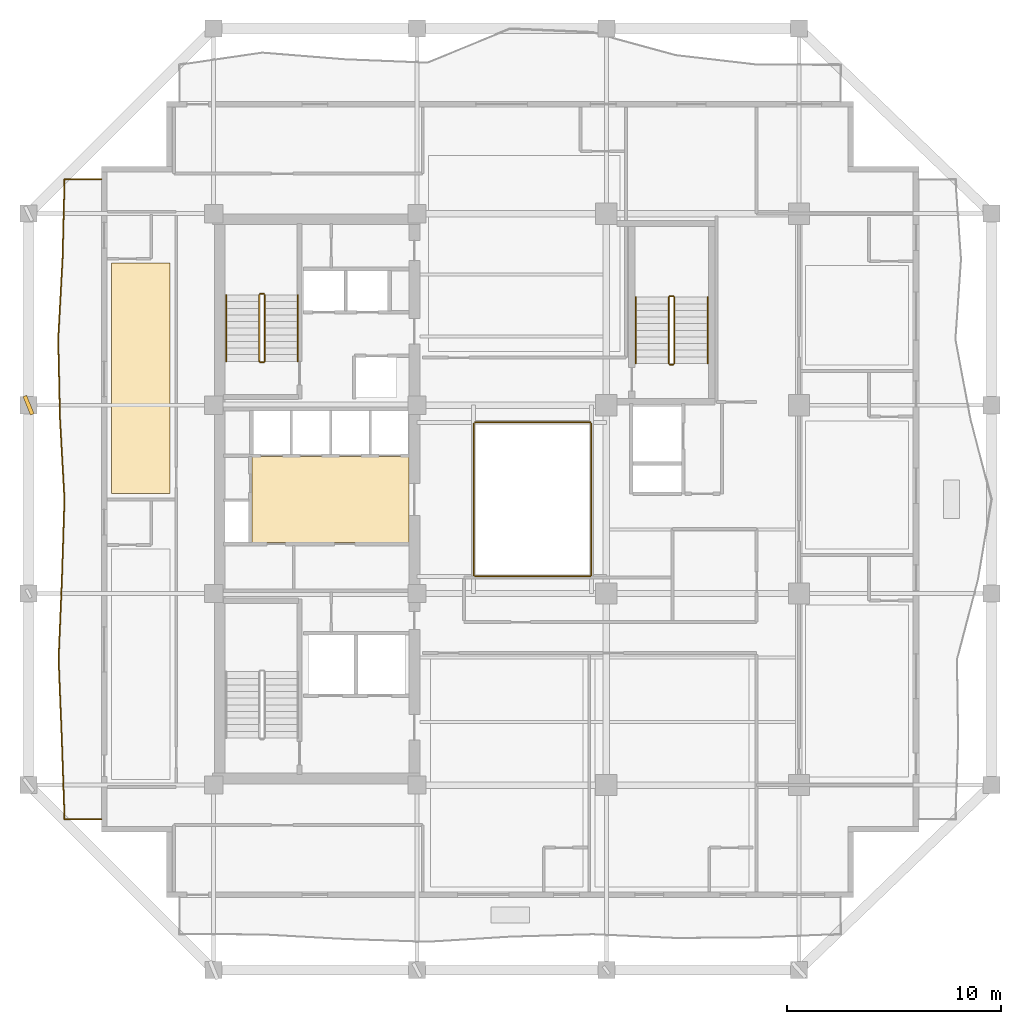
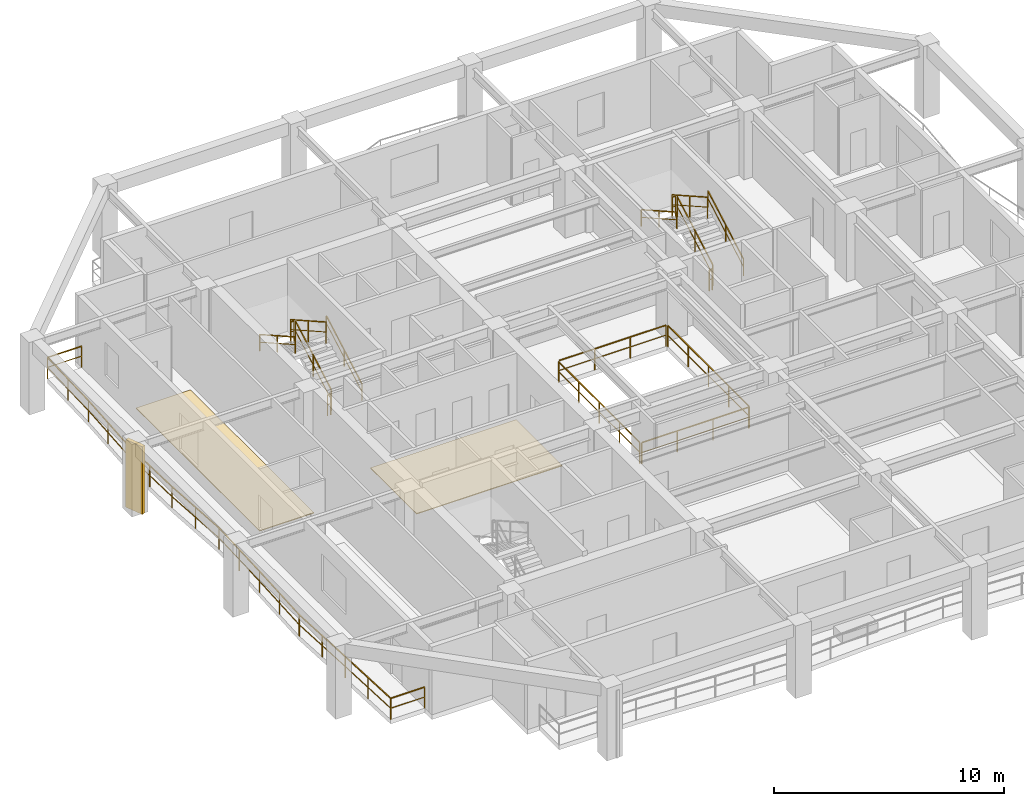
# One storey, part 9 of 11: 17 railings, 2 coverings, 1 shading device.
"""IFC4 building model written with IfcOpenShell, lengths in metres."""

from ifc_helpers import new_model, si_unit, direction, frame, origin, origin_2d, place, context, subcontext, project, spatial, polyline, rectangle, outline, extrude, material, layer, layer_set, type_object, element, save


model = new_model("IFC4")

# Units and contexts
model_context = context("Model", 3, precision=1e-05, world=origin(), true_north=direction((0.0, 1.0)))
body_context = subcontext(model_context, "Body", "Model", "MODEL_VIEW")
ifc_project = project(units=[si_unit("LENGTHUNIT", "METRE"), si_unit("AREAUNIT", "SQUARE_METRE"), si_unit("VOLUMEUNIT", "CUBIC_METRE"), si_unit("PLANEANGLEUNIT", "RADIAN"), si_unit("MASSUNIT", "GRAM", prefix="KILO")], contexts=[model_context])

# Site, building, storey
site_placement = place(None, origin())
site = spatial("IfcSite", under=ifc_project, at=site_placement, CompositionType="ELEMENT")
building_placement = place(site_placement, origin())
building = spatial("IfcBuilding", under=site, at=building_placement, Name="Kundavana Baori Tower", CompositionType="ELEMENT")
storey_placement = place(building_placement, frame((0.0, 0.0, 123.25)))
storey = spatial("IfcBuildingStorey", under=building, at=storey_placement, Name="L29", CompositionType="ELEMENT", Elevation=123.25)

# Coverings
ifc_material_1 = material(Name="Honed Kota Stone and Terrazzo Flooring", Category="masonry")
ifc_layer = layer(ifc_material_1, 0.0400390625, Name="COV-FLR-TERR-40")
ifc_layer_set = layer_set([ifc_layer], Name="Honed Kota Stone and Terrazzo Flooring")
covering_type = type_object("IfcCoveringType", Name="COV-FLR-TERR-40", PredefinedType="FLOORING", material=ifc_layer_set)
covering_1_placement = place(storey_placement, origin())
element("IfcCovering", 1, at=covering_1_placement, inside=storey, type_object=covering_type, Name="L29 Room Finished Stone Flooring 2", PredefinedType="FLOORING", context=body_context, shape_type="SweptSolid", body=[
    extrude(outline(polyline([(10.679931640625, 28.8798828125), (13.419921875, 28.8798828125), (13.419921875, 39.64990234375), (10.679931640625, 39.64990234375), (10.679931640625, 28.8798828125)])), origin(), (0.0, 0.0, 1.0), 0.0400390625),
])
covering_2_placement = place(storey_placement, origin())
element("IfcCovering", 2, at=covering_2_placement, inside=storey, type_object=covering_type, Name="L29 Core Lift Lobby Kota Stone Flooring", PredefinedType="FLOORING", context=body_context, shape_type="SweptSolid", body=[
    extrude(outline(polyline([(17.25, 26.580078125), (24.580078125, 26.580078125), (24.580078125, 30.60009765625), (17.25, 30.60009765625), (17.25, 26.580078125)])), origin(), (0.0, 0.0, 1.0), 0.0400390625),
])

# Railings
ifc_material_2 = material(Name="Architectural Patinated Bronze Metalwork")
railing_type_1 = type_object("IfcRailingType", Name="RL-BAL-1150", PredefinedType="BALUSTRADE", material=ifc_material_2)
railing_1_placement = place(storey_placement, frame((10.199951171875, 13.64990234375, 0.0)))
element("IfcRailing", 3, at=railing_1_placement, inside=storey, type_object=railing_type_1, Name="L29 Loggia Balcony Balustrade W", PredefinedType="BALUSTRADE", context=body_context, shape_type="SweptSolid", body=[
    extrude(rectangle(XDim=0.048095703125, YDim=0.048095703125, at=origin_2d()), frame((0.0, 0.0, 1.1259765625), z_axis=(-1.0, 0.0, 0.0), x_axis=(0.0, -1.0, 0.0)), (0.0, 0.0, 1.0), 1.719970703125),
    extrude(rectangle(XDim=0.03125, YDim=0.03125, at=origin_2d()), frame((0.0, 0.0, 0.597900390625), z_axis=(-1.0, 0.0, 0.0), x_axis=(0.0, -1.0, 0.0)), (0.0, 0.0, 1.0), 1.719970703125),
    extrude(rectangle(XDim=0.048095703125, YDim=0.048095703125, at=origin_2d()), frame((-1.719970703125, 0.0, 1.1259765625), z_axis=(-0.034473519495, 0.999405611578, 0.0), x_axis=(-0.999405611578, -0.034473519495, 0.0)), (0.0, 0.0, 1.0), 3.7392578125),
    extrude(rectangle(XDim=0.03125, YDim=0.03125, at=origin_2d()), frame((-1.719970703125, 0.0, 0.597900390625), z_axis=(-0.034473519495, 0.999405611578, 0.0), x_axis=(-0.999405611578, -0.034473519495, 0.0)), (0.0, 0.0, 1.0), 3.7392578125),
    extrude(rectangle(XDim=0.048095703125, YDim=0.048095703125, at=origin_2d()), frame((-1.848876953125, 3.737060546875, 1.1259765625), z_axis=(-0.039874213061, 0.999204707321, 0.0), x_axis=(-0.999204707321, -0.039874213061, 0.0)), (0.0, 0.0, 1.0), 3.740966796875),
    extrude(rectangle(XDim=0.03125, YDim=0.03125, at=origin_2d()), frame((-1.848876953125, 3.737060546875, 0.597900390625), z_axis=(-0.039874213061, 0.999204707321, 0.0), x_axis=(-0.999204707321, -0.039874213061, 0.0)), (0.0, 0.0, 1.0), 3.740966796875),
    extrude(rectangle(XDim=0.048095703125, YDim=0.048095703125, at=origin_2d()), frame((-1.998046875, 7.47509765625, 1.1259765625), z_axis=(0.041187988679, 0.999151414746, 0.0), x_axis=(-0.999151414746, 0.041187988679, 0.0)), (0.0, 0.0, 1.0), 3.740234375),
    extrude(rectangle(XDim=0.03125, YDim=0.03125, at=origin_2d()), frame((-1.998046875, 7.47509765625, 0.597900390625), z_axis=(0.041187988679, 0.999151414746, 0.0), x_axis=(-0.999151414746, 0.041187988679, 0.0)), (0.0, 0.0, 1.0), 3.740234375),
    extrude(rectangle(XDim=0.048095703125, YDim=0.048095703125, at=origin_2d()), frame((-1.843994140625, 11.212158203125, 1.1259765625), z_axis=(0.031595477586, 0.999500738267, 0.0), x_axis=(-0.999500738267, 0.031595477586, 0.0)), (0.0, 0.0, 1.0), 3.739990234375),
    extrude(rectangle(XDim=0.03125, YDim=0.03125, at=origin_2d()), frame((-1.843994140625, 11.212158203125, 0.597900390625), z_axis=(0.031595477586, 0.999500738267, 0.0), x_axis=(-0.999500738267, 0.031595477586, 0.0)), (0.0, 0.0, 1.0), 3.739990234375),
    extrude(rectangle(XDim=0.048095703125, YDim=0.048095703125, at=origin_2d()), frame((-1.725830078125, 14.9501953125, 1.1259765625), z_axis=(-0.0550581327, 0.998483150596, 0.0), x_axis=(-0.998483150596, -0.0550581327, 0.0)), (0.0, 0.0, 1.0), 3.742431640625),
    extrude(rectangle(XDim=0.03125, YDim=0.03125, at=origin_2d()), frame((-1.725830078125, 14.9501953125, 0.597900390625), z_axis=(-0.0550581327, 0.998483150596, 0.0), x_axis=(-0.998483150596, -0.0550581327, 0.0)), (0.0, 0.0, 1.0), 3.742431640625),
    extrude(rectangle(XDim=0.048095703125, YDim=0.048095703125, at=origin_2d()), frame((-1.931884765625, 18.68701171875, 1.1259765625), z_axis=(-0.022722888579, 0.999741801834, 0.0), x_axis=(-0.999741801834, -0.022722888579, 0.0)), (0.0, 0.0, 1.0), 3.739013671875),
    extrude(rectangle(XDim=0.03125, YDim=0.03125, at=origin_2d()), frame((-1.931884765625, 18.68701171875, 0.597900390625), z_axis=(-0.022722888579, 0.999741801834, 0.0), x_axis=(-0.999741801834, -0.022722888579, 0.0)), (0.0, 0.0, 1.0), 3.739013671875),
    extrude(rectangle(XDim=0.048095703125, YDim=0.048095703125, at=origin_2d()), frame((-2.016845703125, 22.425048828125, 1.1259765625), z_axis=(0.053948888645, 0.9985436983, 0.0), x_axis=(-0.9985436983, 0.053948888645, 0.0)), (0.0, 0.0, 1.0), 3.742431640625),
    extrude(rectangle(XDim=0.03125, YDim=0.03125, at=origin_2d()), frame((-2.016845703125, 22.425048828125, 0.597900390625), z_axis=(0.053948888645, 0.9985436983, 0.0), x_axis=(-0.9985436983, 0.053948888645, 0.0)), (0.0, 0.0, 1.0), 3.742431640625),
    extrude(rectangle(XDim=0.048095703125, YDim=0.048095703125, at=origin_2d()), frame((-1.81494140625, 26.162109375, 1.1259765625), z_axis=(0.025398374515, 0.999677409254, 0.0), x_axis=(-0.999677409254, 0.025398374515, 0.0)), (0.0, 0.0, 1.0), 3.7392578125),
    extrude(rectangle(XDim=0.03125, YDim=0.03125, at=origin_2d()), frame((-1.81494140625, 26.162109375, 0.597900390625), z_axis=(0.025398374515, 0.999677409254, 0.0), x_axis=(-0.999677409254, 0.025398374515, 0.0)), (0.0, 0.0, 1.0), 3.7392578125),
    extrude(rectangle(XDim=0.048095703125, YDim=0.048095703125, at=origin_2d()), frame((-1.719970703125, 29.900146484375, 1.1259765625), z_axis=(1.0, 0.0, 0.0), x_axis=(0.0, 1.0, 0.0)), (0.0, 0.0, 1.0), 1.719970703125),
    extrude(rectangle(XDim=0.03125, YDim=0.03125, at=origin_2d()), frame((-1.719970703125, 29.900146484375, 0.597900390625), z_axis=(1.0, 0.0, 0.0), x_axis=(0.0, 1.0, 0.0)), (0.0, 0.0, 1.0), 1.719970703125),
    extrude(rectangle(XDim=0.0419921875, YDim=0.0419921875, at=origin_2d()), origin(), (0.0, 0.0, 1.0), 1.101806640625),
    extrude(rectangle(XDim=0.0419921875, YDim=0.0419921875, at=origin_2d()), frame((-1.719970703125, 0.0, 0.0)), (0.0, 0.0, 1.0), 1.101806640625),
    extrude(rectangle(XDim=0.0419921875, YDim=0.0419921875, at=origin_2d()), frame((-1.784423828125, 1.86865234375, 0.0)), (0.0, 0.0, 1.0), 1.101806640625),
    extrude(rectangle(XDim=0.0419921875, YDim=0.0419921875, at=origin_2d()), frame((-1.848876953125, 3.737060546875, 0.0)), (0.0, 0.0, 1.0), 1.101806640625),
    extrude(rectangle(XDim=0.0419921875, YDim=0.0419921875, at=origin_2d()), frame((-1.92333984375, 5.60595703125, 0.0)), (0.0, 0.0, 1.0), 1.101806640625),
    extrude(rectangle(XDim=0.0419921875, YDim=0.0419921875, at=origin_2d()), frame((-1.998046875, 7.47509765625, 0.0)), (0.0, 0.0, 1.0), 1.101806640625),
    extrude(rectangle(XDim=0.0419921875, YDim=0.0419921875, at=origin_2d()), frame((-1.9208984375, 9.34375, 0.0)), (0.0, 0.0, 1.0), 1.101806640625),
    extrude(rectangle(XDim=0.0419921875, YDim=0.0419921875, at=origin_2d()), frame((-1.843994140625, 11.212158203125, 0.0)), (0.0, 0.0, 1.0), 1.101806640625),
    extrude(rectangle(XDim=0.0419921875, YDim=0.0419921875, at=origin_2d()), frame((-1.784912109375, 13.0810546875, 0.0)), (0.0, 0.0, 1.0), 1.101806640625),
    extrude(rectangle(XDim=0.0419921875, YDim=0.0419921875, at=origin_2d()), frame((-1.725830078125, 14.9501953125, 0.0)), (0.0, 0.0, 1.0), 1.101806640625),
    extrude(rectangle(XDim=0.0419921875, YDim=0.0419921875, at=origin_2d()), frame((-1.828857421875, 16.818603515625, 0.0)), (0.0, 0.0, 1.0), 1.101806640625),
    extrude(rectangle(XDim=0.0419921875, YDim=0.0419921875, at=origin_2d()), frame((-1.931884765625, 18.68701171875, 0.0)), (0.0, 0.0, 1.0), 1.101806640625),
    extrude(rectangle(XDim=0.0419921875, YDim=0.0419921875, at=origin_2d()), frame((-1.974365234375, 20.55615234375, 0.0)), (0.0, 0.0, 1.0), 1.101806640625),
    extrude(rectangle(XDim=0.0419921875, YDim=0.0419921875, at=origin_2d()), frame((-2.016845703125, 22.425048828125, 0.0)), (0.0, 0.0, 1.0), 1.101806640625),
    extrude(rectangle(XDim=0.0419921875, YDim=0.0419921875, at=origin_2d()), frame((-1.916015625, 24.29345703125, 0.0)), (0.0, 0.0, 1.0), 1.101806640625),
    extrude(rectangle(XDim=0.0419921875, YDim=0.0419921875, at=origin_2d()), frame((-1.81494140625, 26.162109375, 0.0)), (0.0, 0.0, 1.0), 1.101806640625),
    extrude(rectangle(XDim=0.0419921875, YDim=0.0419921875, at=origin_2d()), frame((-1.767578125, 28.03125, 0.0)), (0.0, 0.0, 1.0), 1.101806640625),
    extrude(rectangle(XDim=0.0419921875, YDim=0.0419921875, at=origin_2d()), frame((-1.719970703125, 29.900146484375, 0.0)), (0.0, 0.0, 1.0), 1.101806640625),
    extrude(rectangle(XDim=0.0419921875, YDim=0.0419921875, at=origin_2d()), frame((0.0, 29.900146484375, 0.0)), (0.0, 0.0, 1.0), 1.101806640625),
])
ifc_material_3 = material(Name="Architectural Patinated Bronze Metalwork")
railing_type_2 = type_object("IfcRailingType", Name="RL-GRD-1150", PredefinedType="GUARDRAIL", material=ifc_material_3)
railing_2_placement = place(storey_placement, frame((17.840087890625, 35.050048828125, 0.175048828125)))
element("IfcRailing", 4, at=railing_2_placement, inside=storey, type_object=railing_type_2, Name="L29 ST2 stair guard 1", PredefinedType="GUARDRAIL", context=body_context, shape_type="SweptSolid", body=[
    extrude(rectangle(XDim=0.048095703125, YDim=0.048095703125, at=origin_2d()), frame((0.0, 0.0, 1.1259765625), z_axis=(0.0, 0.870814364268, 0.491611984175), x_axis=(-1.0, 0.0, 0.0)), (0.0, 0.0, 1.0), 3.559814453125),
    extrude(rectangle(XDim=0.03125, YDim=0.03125, at=origin_2d()), frame((0.0, 0.0, 0.597900390625), z_axis=(0.0, 0.870814364268, 0.491611984175), x_axis=(-1.0, 0.0, 0.0)), (0.0, 0.0, 1.0), 3.559814453125),
    extrude(rectangle(XDim=0.0419921875, YDim=0.0419921875, at=origin_2d()), origin(), (0.0, 0.0, 1.0), 1.101806640625),
    extrude(rectangle(XDim=0.0419921875, YDim=0.0419921875, at=origin_2d()), frame((0.0, 1.5498046875, 0.875)), (0.0, 0.0, 1.0), 1.101806640625),
    extrude(rectangle(XDim=0.0419921875, YDim=0.0419921875, at=origin_2d()), frame((0.0, 3.099853515625, 1.75)), (0.0, 0.0, 1.0), 1.101806640625),
])
railing_3_placement = place(storey_placement, frame((17.7900390625, 38.199951171875, 1.925048828125)))
element("IfcRailing", 5, at=railing_3_placement, inside=storey, type_object=railing_type_2, Name="L29 ST2 stair guard 2", PredefinedType="GUARDRAIL", context=body_context, shape_type="SweptSolid", body=[
    extrude(rectangle(XDim=0.048095703125, YDim=0.048095703125, at=origin_2d()), frame((0.0, 0.0, 1.1259765625), z_axis=(-1.0, 0.0, 0.0), x_axis=(0.0, -1.0, 0.0)), (0.0, 0.0, 1.0), 0.16015625),
    extrude(rectangle(XDim=0.03125, YDim=0.03125, at=origin_2d()), frame((0.0, 0.0, 0.597900390625), z_axis=(-1.0, 0.0, 0.0), x_axis=(0.0, -1.0, 0.0)), (0.0, 0.0, 1.0), 0.16015625),
    extrude(rectangle(XDim=0.0419921875, YDim=0.0419921875, at=origin_2d()), origin(), (0.0, 0.0, 1.0), 1.101806640625),
    extrude(rectangle(XDim=0.0419921875, YDim=0.0419921875, at=origin_2d()), frame((-0.16015625, 0.0, 0.0)), (0.0, 0.0, 1.0), 1.101806640625),
])
railing_4_placement = place(storey_placement, frame((17.580078125, 38.14990234375, 2.10009765625)))
element("IfcRailing", 6, at=railing_4_placement, inside=storey, type_object=railing_type_2, Name="L29 ST2 stair guard 3", PredefinedType="GUARDRAIL", context=body_context, shape_type="SweptSolid", body=[
    extrude(rectangle(XDim=0.048095703125, YDim=0.048095703125, at=origin_2d()), frame((0.0, 0.0, 1.1259765625), z_axis=(0.0, -0.870814364268, 0.491611984175), x_axis=(1.0, 0.0, 0.0)), (0.0, 0.0, 1.0), 3.559814453125),
    extrude(rectangle(XDim=0.03125, YDim=0.03125, at=origin_2d()), frame((0.0, 0.0, 0.597900390625), z_axis=(0.0, -0.870814364268, 0.491611984175), x_axis=(1.0, 0.0, 0.0)), (0.0, 0.0, 1.0), 3.559814453125),
    extrude(rectangle(XDim=0.0419921875, YDim=0.0419921875, at=origin_2d()), origin(), (0.0, 0.0, 1.0), 1.101806640625),
    extrude(rectangle(XDim=0.0419921875, YDim=0.0419921875, at=origin_2d()), frame((0.0, -1.5498046875, 0.875)), (0.0, 0.0, 1.0), 1.101806640625),
    extrude(rectangle(XDim=0.0419921875, YDim=0.0419921875, at=origin_2d()), frame((0.0, -3.099853515625, 1.75)), (0.0, 0.0, 1.0), 1.101806640625),
])
railing_5_placement = place(storey_placement, frame((17.7900390625, 35.0, 0.0)))
element("IfcRailing", 7, at=railing_5_placement, inside=storey, type_object=railing_type_2, Name="L29 ST2 stair guard 4", PredefinedType="GUARDRAIL", context=body_context, shape_type="SweptSolid", body=[
    extrude(rectangle(XDim=0.048095703125, YDim=0.048095703125, at=origin_2d()), frame((0.0, 0.0, 1.1259765625), z_axis=(-1.0, 0.0, 0.0), x_axis=(0.0, -1.0, 0.0)), (0.0, 0.0, 1.0), 0.16015625),
    extrude(rectangle(XDim=0.03125, YDim=0.03125, at=origin_2d()), frame((0.0, 0.0, 0.597900390625), z_axis=(-1.0, 0.0, 0.0), x_axis=(0.0, -1.0, 0.0)), (0.0, 0.0, 1.0), 0.16015625),
    extrude(rectangle(XDim=0.0419921875, YDim=0.0419921875, at=origin_2d()), origin(), (0.0, 0.0, 1.0), 1.101806640625),
    extrude(rectangle(XDim=0.0419921875, YDim=0.0419921875, at=origin_2d()), frame((-0.16015625, 0.0, 0.0)), (0.0, 0.0, 1.0), 1.101806640625),
])
railing_6_placement = place(storey_placement, frame((36.97998046875, 34.949951171875, 0.175048828125)))
element("IfcRailing", 8, at=railing_6_placement, inside=storey, type_object=railing_type_2, Name="L29 ST3 stair guard 1", PredefinedType="GUARDRAIL", context=body_context, shape_type="SweptSolid", body=[
    extrude(rectangle(XDim=0.048095703125, YDim=0.048095703125, at=origin_2d()), frame((0.0, 0.0, 1.1259765625), z_axis=(0.0, 0.870830938388, 0.491582624537), x_axis=(-1.0, 0.0, 0.0)), (0.0, 0.0, 1.0), 3.559814453125),
    extrude(rectangle(XDim=0.03125, YDim=0.03125, at=origin_2d()), frame((0.0, 0.0, 0.597900390625), z_axis=(0.0, 0.870830938388, 0.491582624537), x_axis=(-1.0, 0.0, 0.0)), (0.0, 0.0, 1.0), 3.559814453125),
    extrude(rectangle(XDim=0.0419921875, YDim=0.0419921875, at=origin_2d()), origin(), (0.0, 0.0, 1.0), 1.101806640625),
    extrude(rectangle(XDim=0.0419921875, YDim=0.0419921875, at=origin_2d()), frame((0.0, 1.550048828125, 0.875)), (0.0, 0.0, 1.0), 1.101806640625),
    extrude(rectangle(XDim=0.0419921875, YDim=0.0419921875, at=origin_2d()), frame((0.0, 3.10009765625, 1.75)), (0.0, 0.0, 1.0), 1.101806640625),
])
railing_7_placement = place(storey_placement, frame((36.929931640625, 38.10009765625, 1.925048828125)))
element("IfcRailing", 9, at=railing_7_placement, inside=storey, type_object=railing_type_2, Name="L29 ST3 stair guard 2", PredefinedType="GUARDRAIL", context=body_context, shape_type="SweptSolid", body=[
    extrude(rectangle(XDim=0.048095703125, YDim=0.048095703125, at=origin_2d()), frame((0.0, 0.0, 1.1259765625), z_axis=(-1.0, 0.0, 0.0), x_axis=(0.0, -1.0, 0.0)), (0.0, 0.0, 1.0), 0.159912109375),
    extrude(rectangle(XDim=0.03125, YDim=0.03125, at=origin_2d()), frame((0.0, 0.0, 0.597900390625), z_axis=(-1.0, 0.0, 0.0), x_axis=(0.0, -1.0, 0.0)), (0.0, 0.0, 1.0), 0.159912109375),
    extrude(rectangle(XDim=0.0419921875, YDim=0.0419921875, at=origin_2d()), origin(), (0.0, 0.0, 1.0), 1.101806640625),
    extrude(rectangle(XDim=0.0419921875, YDim=0.0419921875, at=origin_2d()), frame((-0.159912109375, 0.0, 0.0)), (0.0, 0.0, 1.0), 1.101806640625),
])
railing_8_placement = place(storey_placement, frame((36.719970703125, 38.050048828125, 2.10009765625)))
element("IfcRailing", 10, at=railing_8_placement, inside=storey, type_object=railing_type_2, Name="L29 ST3 stair guard 3", PredefinedType="GUARDRAIL", context=body_context, shape_type="SweptSolid", body=[
    extrude(rectangle(XDim=0.048095703125, YDim=0.048095703125, at=origin_2d()), frame((0.0, 0.0, 1.1259765625), z_axis=(0.0, -0.870830938388, 0.491582624537), x_axis=(1.0, 0.0, 0.0)), (0.0, 0.0, 1.0), 3.559814453125),
    extrude(rectangle(XDim=0.03125, YDim=0.03125, at=origin_2d()), frame((0.0, 0.0, 0.597900390625), z_axis=(0.0, -0.870830938388, 0.491582624537), x_axis=(1.0, 0.0, 0.0)), (0.0, 0.0, 1.0), 3.559814453125),
    extrude(rectangle(XDim=0.0419921875, YDim=0.0419921875, at=origin_2d()), origin(), (0.0, 0.0, 1.0), 1.101806640625),
    extrude(rectangle(XDim=0.0419921875, YDim=0.0419921875, at=origin_2d()), frame((0.0, -1.550048828125, 0.875)), (0.0, 0.0, 1.0), 1.101806640625),
    extrude(rectangle(XDim=0.0419921875, YDim=0.0419921875, at=origin_2d()), frame((0.0, -3.10009765625, 1.75)), (0.0, 0.0, 1.0), 1.101806640625),
])
railing_9_placement = place(storey_placement, frame((36.929931640625, 34.89990234375, 0.0)))
element("IfcRailing", 11, at=railing_9_placement, inside=storey, type_object=railing_type_2, Name="L29 ST3 stair guard 4", PredefinedType="GUARDRAIL", context=body_context, shape_type="SweptSolid", body=[
    extrude(rectangle(XDim=0.048095703125, YDim=0.048095703125, at=origin_2d()), frame((0.0, 0.0, 1.1259765625), z_axis=(-1.0, 0.0, 0.0), x_axis=(0.0, -1.0, 0.0)), (0.0, 0.0, 1.0), 0.159912109375),
    extrude(rectangle(XDim=0.03125, YDim=0.03125, at=origin_2d()), frame((0.0, 0.0, 0.597900390625), z_axis=(-1.0, 0.0, 0.0), x_axis=(0.0, -1.0, 0.0)), (0.0, 0.0, 1.0), 0.159912109375),
    extrude(rectangle(XDim=0.0419921875, YDim=0.0419921875, at=origin_2d()), origin(), (0.0, 0.0, 1.0), 1.101806640625),
    extrude(rectangle(XDim=0.0419921875, YDim=0.0419921875, at=origin_2d()), frame((-0.159912109375, 0.0, 0.0)), (0.0, 0.0, 1.0), 1.101806640625),
])
railing_10_placement = place(storey_placement, frame((27.659912109375, 25.0, 0.0)))
element("IfcRailing", 12, at=railing_10_placement, inside=storey, type_object=railing_type_2, Name="L29 Atrium Void Perimeter Guardrail S", PredefinedType="GUARDRAIL", context=body_context, shape_type="SweptSolid", body=[
    extrude(rectangle(XDim=0.048095703125, YDim=0.048095703125, at=origin_2d()), frame((0.0, 0.0, 1.1259765625), z_axis=(1.0, 0.0, 0.0), x_axis=(0.0, 1.0, 0.0)), (0.0, 0.0, 1.0), 5.380126953125),
    extrude(rectangle(XDim=0.03125, YDim=0.03125, at=origin_2d()), frame((0.0, 0.0, 0.597900390625), z_axis=(1.0, 0.0, 0.0), x_axis=(0.0, 1.0, 0.0)), (0.0, 0.0, 1.0), 5.380126953125),
    extrude(rectangle(XDim=0.0419921875, YDim=0.0419921875, at=origin_2d()), origin(), (0.0, 0.0, 1.0), 1.101806640625),
    extrude(rectangle(XDim=0.0419921875, YDim=0.0419921875, at=origin_2d()), frame((1.79345703125, 0.0, 0.0)), (0.0, 0.0, 1.0), 1.101806640625),
    extrude(rectangle(XDim=0.0419921875, YDim=0.0419921875, at=origin_2d()), frame((3.586669921875, 0.0, 0.0)), (0.0, 0.0, 1.0), 1.101806640625),
    extrude(rectangle(XDim=0.0419921875, YDim=0.0419921875, at=origin_2d()), frame((5.380126953125, 0.0, 0.0)), (0.0, 0.0, 1.0), 1.101806640625),
])
railing_11_placement = place(storey_placement, frame((33.10009765625, 25.06005859375, 0.0)))
element("IfcRailing", 13, at=railing_11_placement, inside=storey, type_object=railing_type_2, Name="L29 Atrium Void Perimeter Guardrail E", PredefinedType="GUARDRAIL", context=body_context, shape_type="SweptSolid", body=[
    extrude(rectangle(XDim=0.048095703125, YDim=0.048095703125, at=origin_2d()), frame((0.0, 0.0, 1.1259765625), z_axis=(0.0, 1.0, 0.0), x_axis=(-1.0, 0.0, 0.0)), (0.0, 0.0, 1.0), 7.079833984375),
    extrude(rectangle(XDim=0.03125, YDim=0.03125, at=origin_2d()), frame((0.0, 0.0, 0.597900390625), z_axis=(0.0, 1.0, 0.0), x_axis=(-1.0, 0.0, 0.0)), (0.0, 0.0, 1.0), 7.079833984375),
    extrude(rectangle(XDim=0.0419921875, YDim=0.0419921875, at=origin_2d()), origin(), (0.0, 0.0, 1.0), 1.101806640625),
    extrude(rectangle(XDim=0.0419921875, YDim=0.0419921875, at=origin_2d()), frame((0.0, 1.77001953125, 0.0)), (0.0, 0.0, 1.0), 1.101806640625),
    extrude(rectangle(XDim=0.0419921875, YDim=0.0419921875, at=origin_2d()), frame((0.0, 3.5400390625, 0.0)), (0.0, 0.0, 1.0), 1.101806640625),
    extrude(rectangle(XDim=0.0419921875, YDim=0.0419921875, at=origin_2d()), frame((0.0, 5.309814453125, 0.0)), (0.0, 0.0, 1.0), 1.101806640625),
    extrude(rectangle(XDim=0.0419921875, YDim=0.0419921875, at=origin_2d()), frame((0.0, 7.079833984375, 0.0)), (0.0, 0.0, 1.0), 1.101806640625),
])
railing_12_placement = place(storey_placement, frame((33.0400390625, 32.199951171875, 0.0)))
element("IfcRailing", 14, at=railing_12_placement, inside=storey, type_object=railing_type_2, Name="L29 Atrium Void Perimeter Guardrail N", PredefinedType="GUARDRAIL", context=body_context, shape_type="SweptSolid", body=[
    extrude(rectangle(XDim=0.048095703125, YDim=0.048095703125, at=origin_2d()), frame((0.0, 0.0, 1.1259765625), z_axis=(-1.0, 0.0, 0.0), x_axis=(0.0, -1.0, 0.0)), (0.0, 0.0, 1.0), 5.380126953125),
    extrude(rectangle(XDim=0.03125, YDim=0.03125, at=origin_2d()), frame((0.0, 0.0, 0.597900390625), z_axis=(-1.0, 0.0, 0.0), x_axis=(0.0, -1.0, 0.0)), (0.0, 0.0, 1.0), 5.380126953125),
    extrude(rectangle(XDim=0.0419921875, YDim=0.0419921875, at=origin_2d()), origin(), (0.0, 0.0, 1.0), 1.101806640625),
    extrude(rectangle(XDim=0.0419921875, YDim=0.0419921875, at=origin_2d()), frame((-1.79345703125, 0.0, 0.0)), (0.0, 0.0, 1.0), 1.101806640625),
    extrude(rectangle(XDim=0.0419921875, YDim=0.0419921875, at=origin_2d()), frame((-3.586669921875, 0.0, 0.0)), (0.0, 0.0, 1.0), 1.101806640625),
    extrude(rectangle(XDim=0.0419921875, YDim=0.0419921875, at=origin_2d()), frame((-5.380126953125, 0.0, 0.0)), (0.0, 0.0, 1.0), 1.101806640625),
])
railing_13_placement = place(storey_placement, frame((27.60009765625, 32.139892578125, 0.0)))
element("IfcRailing", 15, at=railing_13_placement, inside=storey, type_object=railing_type_2, Name="L29 Atrium Void Perimeter Guardrail W", PredefinedType="GUARDRAIL", context=body_context, shape_type="SweptSolid", body=[
    extrude(rectangle(XDim=0.048095703125, YDim=0.048095703125, at=origin_2d()), frame((0.0, 0.0, 1.1259765625), z_axis=(0.0, -1.0, 0.0), x_axis=(1.0, 0.0, 0.0)), (0.0, 0.0, 1.0), 7.079833984375),
    extrude(rectangle(XDim=0.03125, YDim=0.03125, at=origin_2d()), frame((0.0, 0.0, 0.597900390625), z_axis=(0.0, -1.0, 0.0), x_axis=(1.0, 0.0, 0.0)), (0.0, 0.0, 1.0), 7.079833984375),
    extrude(rectangle(XDim=0.0419921875, YDim=0.0419921875, at=origin_2d()), origin(), (0.0, 0.0, 1.0), 1.101806640625),
    extrude(rectangle(XDim=0.0419921875, YDim=0.0419921875, at=origin_2d()), frame((0.0, -1.77001953125, 0.0)), (0.0, 0.0, 1.0), 1.101806640625),
    extrude(rectangle(XDim=0.0419921875, YDim=0.0419921875, at=origin_2d()), frame((0.0, -3.5400390625, 0.0)), (0.0, 0.0, 1.0), 1.101806640625),
    extrude(rectangle(XDim=0.0419921875, YDim=0.0419921875, at=origin_2d()), frame((0.0, -5.309814453125, 0.0)), (0.0, 0.0, 1.0), 1.101806640625),
    extrude(rectangle(XDim=0.0419921875, YDim=0.0419921875, at=origin_2d()), frame((0.0, -7.079833984375, 0.0)), (0.0, 0.0, 1.0), 1.101806640625),
])
ifc_material_4 = material(Name="Architectural Patinated Bronze Metalwork")
railing_type_3 = type_object("IfcRailingType", Name="RL-HND-920", PredefinedType="HANDRAIL", material=ifc_material_4)
railing_14_placement = place(storey_placement, frame((19.389892578125, 35.050048828125, 0.175048828125)))
element("IfcRailing", 16, at=railing_14_placement, inside=storey, type_object=railing_type_3, Name="L29 ST2 stair handrail 1", PredefinedType="HANDRAIL", context=body_context, shape_type="SweptSolid", body=[
    extrude(rectangle(XDim=0.048095703125, YDim=0.048095703125, at=origin_2d()), frame((0.0, 0.0, 0.8759765625), z_axis=(0.0, 0.870814364268, 0.491611984175), x_axis=(-1.0, 0.0, 0.0)), (0.0, 0.0, 1.0), 3.559814453125),
    extrude(rectangle(XDim=0.03125, YDim=0.03125, at=origin_2d()), frame((0.0, 0.0, 0.468017578125), z_axis=(0.0, 0.870814364268, 0.491611984175), x_axis=(-1.0, 0.0, 0.0)), (0.0, 0.0, 1.0), 3.559814453125),
    extrude(rectangle(XDim=0.0419921875, YDim=0.0419921875, at=origin_2d()), origin(), (0.0, 0.0, 1.0), 0.851806640625),
    extrude(rectangle(XDim=0.0419921875, YDim=0.0419921875, at=origin_2d()), frame((0.0, 1.5498046875, 0.875)), (0.0, 0.0, 1.0), 0.851806640625),
    extrude(rectangle(XDim=0.0419921875, YDim=0.0419921875, at=origin_2d()), frame((0.0, 3.099853515625, 1.75)), (0.0, 0.0, 1.0), 0.851806640625),
])
railing_15_placement = place(storey_placement, frame((16.030029296875, 38.14990234375, 2.10009765625)))
element("IfcRailing", 17, at=railing_15_placement, inside=storey, type_object=railing_type_3, Name="L29 ST2 stair handrail 2", PredefinedType="HANDRAIL", context=body_context, shape_type="SweptSolid", body=[
    extrude(rectangle(XDim=0.048095703125, YDim=0.048095703125, at=origin_2d()), frame((0.0, 0.0, 0.8759765625), z_axis=(0.0, -0.870814364268, 0.491611984175), x_axis=(1.0, 0.0, 0.0)), (0.0, 0.0, 1.0), 3.559814453125),
    extrude(rectangle(XDim=0.03125, YDim=0.03125, at=origin_2d()), frame((0.0, 0.0, 0.468017578125), z_axis=(0.0, -0.870814364268, 0.491611984175), x_axis=(1.0, 0.0, 0.0)), (0.0, 0.0, 1.0), 3.559814453125),
    extrude(rectangle(XDim=0.0419921875, YDim=0.0419921875, at=origin_2d()), origin(), (0.0, 0.0, 1.0), 0.851806640625),
    extrude(rectangle(XDim=0.0419921875, YDim=0.0419921875, at=origin_2d()), frame((0.0, -1.5498046875, 0.875)), (0.0, 0.0, 1.0), 0.851806640625),
    extrude(rectangle(XDim=0.0419921875, YDim=0.0419921875, at=origin_2d()), frame((0.0, -3.099853515625, 1.75)), (0.0, 0.0, 1.0), 0.851806640625),
])
railing_16_placement = place(storey_placement, frame((38.530029296875, 34.949951171875, 0.175048828125)))
element("IfcRailing", 18, at=railing_16_placement, inside=storey, type_object=railing_type_3, Name="L29 ST3 stair handrail 1", PredefinedType="HANDRAIL", context=body_context, shape_type="SweptSolid", body=[
    extrude(rectangle(XDim=0.048095703125, YDim=0.048095703125, at=origin_2d()), frame((0.0, 0.0, 0.8759765625), z_axis=(0.0, 0.870830938388, 0.491582624537), x_axis=(-1.0, 0.0, 0.0)), (0.0, 0.0, 1.0), 3.559814453125),
    extrude(rectangle(XDim=0.03125, YDim=0.03125, at=origin_2d()), frame((0.0, 0.0, 0.468017578125), z_axis=(0.0, 0.870830938388, 0.491582624537), x_axis=(-1.0, 0.0, 0.0)), (0.0, 0.0, 1.0), 3.559814453125),
    extrude(rectangle(XDim=0.0419921875, YDim=0.0419921875, at=origin_2d()), origin(), (0.0, 0.0, 1.0), 0.851806640625),
    extrude(rectangle(XDim=0.0419921875, YDim=0.0419921875, at=origin_2d()), frame((0.0, 1.550048828125, 0.875)), (0.0, 0.0, 1.0), 0.851806640625),
    extrude(rectangle(XDim=0.0419921875, YDim=0.0419921875, at=origin_2d()), frame((0.0, 3.10009765625, 1.75)), (0.0, 0.0, 1.0), 0.851806640625),
])
railing_17_placement = place(storey_placement, frame((35.169921875, 38.050048828125, 2.10009765625)))
element("IfcRailing", 19, at=railing_17_placement, inside=storey, type_object=railing_type_3, Name="L29 ST3 stair handrail 2", PredefinedType="HANDRAIL", context=body_context, shape_type="SweptSolid", body=[
    extrude(rectangle(XDim=0.048095703125, YDim=0.048095703125, at=origin_2d()), frame((0.0, 0.0, 0.8759765625), z_axis=(0.0, -0.870830938388, 0.491582624537), x_axis=(1.0, 0.0, 0.0)), (0.0, 0.0, 1.0), 3.559814453125),
    extrude(rectangle(XDim=0.03125, YDim=0.03125, at=origin_2d()), frame((0.0, 0.0, 0.468017578125), z_axis=(0.0, -0.870830938388, 0.491582624537), x_axis=(1.0, 0.0, 0.0)), (0.0, 0.0, 1.0), 3.559814453125),
    extrude(rectangle(XDim=0.0419921875, YDim=0.0419921875, at=origin_2d()), origin(), (0.0, 0.0, 1.0), 0.851806640625),
    extrude(rectangle(XDim=0.0419921875, YDim=0.0419921875, at=origin_2d()), frame((0.0, -1.550048828125, 0.875)), (0.0, 0.0, 1.0), 0.851806640625),
    extrude(rectangle(XDim=0.0419921875, YDim=0.0419921875, at=origin_2d()), frame((0.0, -3.10009765625, 1.75)), (0.0, 0.0, 1.0), 0.851806640625),
])

# Shading device
ifc_material_5 = material(Name="Red-Buff Dholpur Sandstone Cladding on Concrete C40/50", Category="masonry")
shading_device_type = type_object("IfcShadingDeviceType", Name="SHD-FIN-920", PredefinedType="JALOUSIE", material=ifc_material_5)
shading_device_placement = place(storey_placement, frame((6.800048828125, 33.0, 0.0), z_axis=(0.0, 0.0, 1.0), x_axis=(0.926659901464, 0.375900820721, 0.0)))
element("IfcShadingDevice", 20, at=shading_device_placement, inside=storey, type_object=shading_device_type, Name="L29 Sweeping Dholpur Sandstone Facade Fin 7", PredefinedType="JALOUSIE", context=body_context, shape_type="SweptSolid", body=[
    extrude(rectangle(XDim=0.179931640625, YDim=0.919921875, at=origin_2d()), origin(), (0.0, 0.0, 1.0), 3.60009765625),
])

save(model, "model.ifc")
